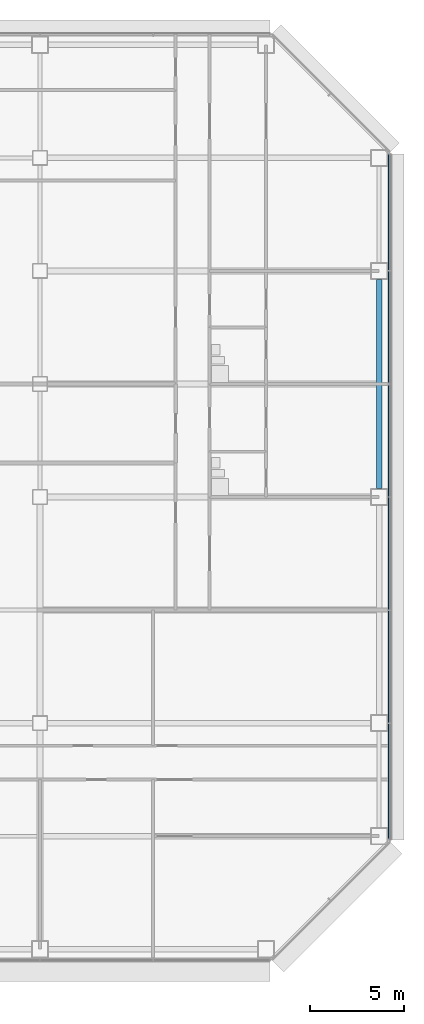
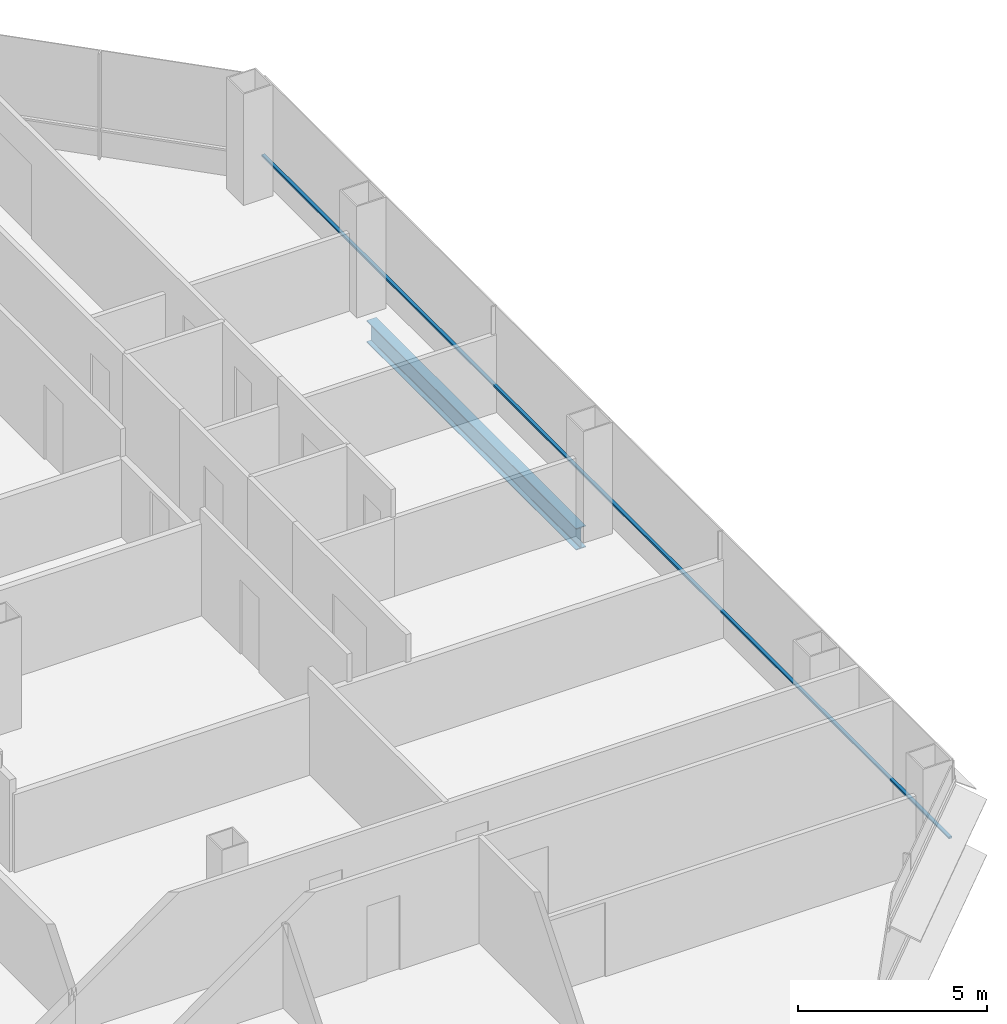
# One storey, part 17 of 26: 1 beam, 1 member, 1 element without a shape of its own.
"""IFC4 building model written with IfcOpenShell, lengths in metres."""

from ifc_helpers import new_model, si_unit, direction, frame, origin, origin_2d, place, context, subcontext, project, spatial, rectangle, i_section, extrude, material, material_profile, profile_set, type_object, element, aggregate, save


model = new_model("IFC4")

# Units and contexts
model_context = context("Model", 3, precision=1e-05, world=origin(), true_north=direction((0.0, 1.0)))
body_context = subcontext(model_context, "Body", "Model", "MODEL_VIEW")
ifc_project = project(units=[si_unit("LENGTHUNIT", "METRE"), si_unit("AREAUNIT", "SQUARE_METRE"), si_unit("VOLUMEUNIT", "CUBIC_METRE"), si_unit("PLANEANGLEUNIT", "RADIAN"), si_unit("MASSUNIT", "GRAM", prefix="KILO")], contexts=[model_context])

# Site, building, storey
site_placement = place(None, origin())
site = spatial("IfcSite", under=ifc_project, at=site_placement, CompositionType="ELEMENT")
building_placement = place(site_placement, origin())
building = spatial("IfcBuilding", under=site, at=building_placement, Name="Sorahane Residences", CompositionType="ELEMENT")
storey_placement = place(building_placement, frame((0.0, 0.0, 71.39990234375)))
storey = spatial("IfcBuildingStorey", under=building, at=storey_placement, Name="L14", CompositionType="ELEMENT", Elevation=71.39990234375)

# Curtain wall, member
ifc_material_1 = material(Name="Dark low-e glass and black anodised aluminium", Category="aluminium")
curtain_wall_type = type_object("IfcCurtainWallType", Name="Curtain wall CW-1 Typical unitised wall", PredefinedType="NOTDEFINED", material=ifc_material_1)
curtain_wall_placement = place(storey_placement, origin())
curtain_wall = element("IfcCurtainWall", 1, at=curtain_wall_placement, inside=storey, type_object=curtain_wall_type, Name="CW-1 curtain wall L14 E1", PredefinedType="NOTDEFINED")
ifc_material_2 = material(Name="Black anodised aluminium", Category="aluminium")
ifc_material_profile_1 = material_profile(ifc_material_2, rectangle(XDim=0.10009765625, YDim=0.06005859375, at=origin_2d()), Name="Curtain wall transom CW-1 black anodised aluminium 60x100")
ifc_profile_set_1 = profile_set([ifc_material_profile_1], Name="Black anodised aluminium")
member_type = type_object("IfcMemberType", Name="Curtain wall transom CW-1 black anodised aluminium 60x100", PredefinedType="USERDEFINED", material=ifc_profile_set_1)
member_placement = place(storey_placement, frame((66.530029296875, 5.801513671875, 0.900146484375), z_axis=(0.0, 1.0, 0.0), x_axis=(-1.0, 0.0, 0.0)))
member = element("IfcMember", 2, at=member_placement, type_object=member_type, Name="CW-1 transom L14 E1", ObjectType="TRANSOM", PredefinedType="USERDEFINED", context=body_context, shape_type="SweptSolid", body=[
    extrude(rectangle(XDim=0.10009765625, YDim=0.06005859375, at=origin_2d()), origin(), (0.0, 0.0, 1.0), 36.39697265625),
])
aggregate(curtain_wall, [member])

# Beam
ifc_material_3 = material(Name="Steel Q355B", Category="steel")
ifc_material_profile_2 = material_profile(ifc_material_3, i_section(OverallWidth=0.300048828125, OverallDepth=0.699951171875, WebThickness=0.012939453125, FlangeThickness=0.02392578125, FilletRadius=0.028076171875, at=origin_2d()), Name="HN 700x300x13x24")
ifc_profile_set_2 = profile_set([ifc_material_profile_2], Name="Steel Q355B")
beam_type = type_object("IfcBeamType", Name="Steel floor beam HN 700x300x13x24 Q355B", PredefinedType="BEAM", material=ifc_profile_set_2)
beam_placement = place(storey_placement, frame((66.0, 24.449951171875, -0.52978515625), z_axis=(0.0, 1.0, 0.0), x_axis=(-1.0, 0.0, 0.0)))
element("IfcBeam", 3, at=beam_placement, inside=storey, type_object=beam_type, Name="Beam L14 059", PredefinedType="BEAM", context=body_context, shape_type="SweptSolid", body=[
    extrude(i_section(OverallWidth=0.300048828125, OverallDepth=0.699951171875, WebThickness=0.012939453125, FlangeThickness=0.02392578125, FilletRadius=0.028076171875, at=origin_2d()), origin(), (0.0, 0.0, 1.0), 11.10009765625),
])

save(model, "model.ifc")
